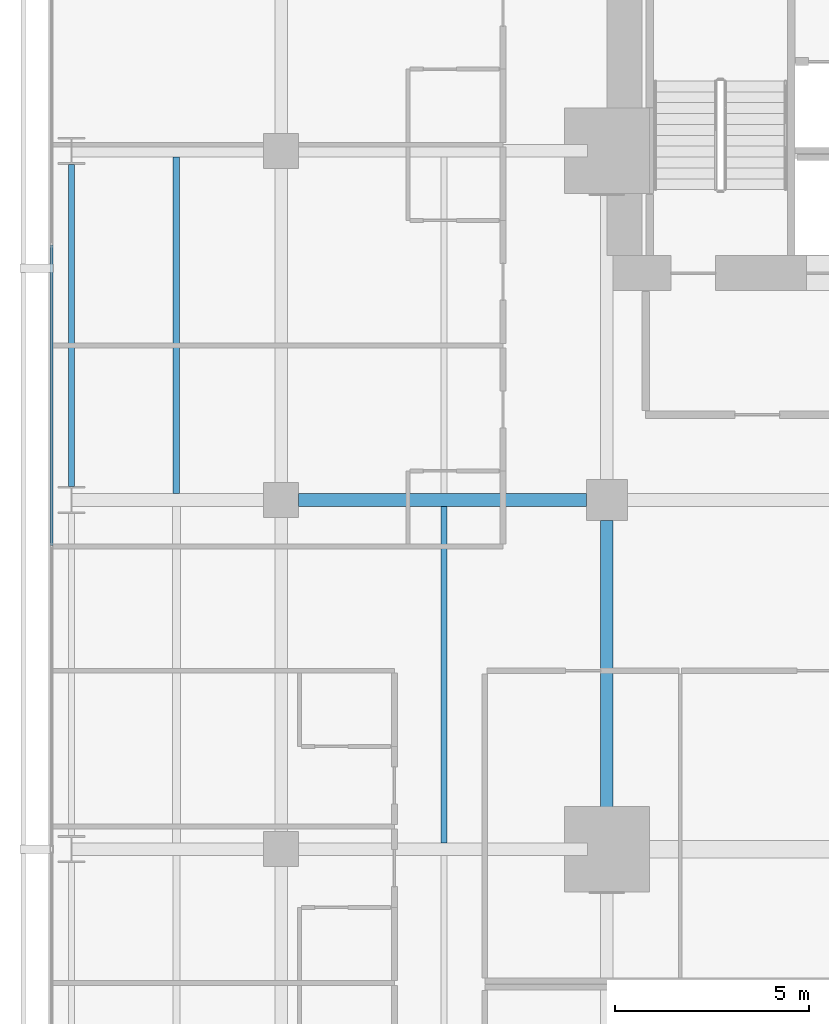
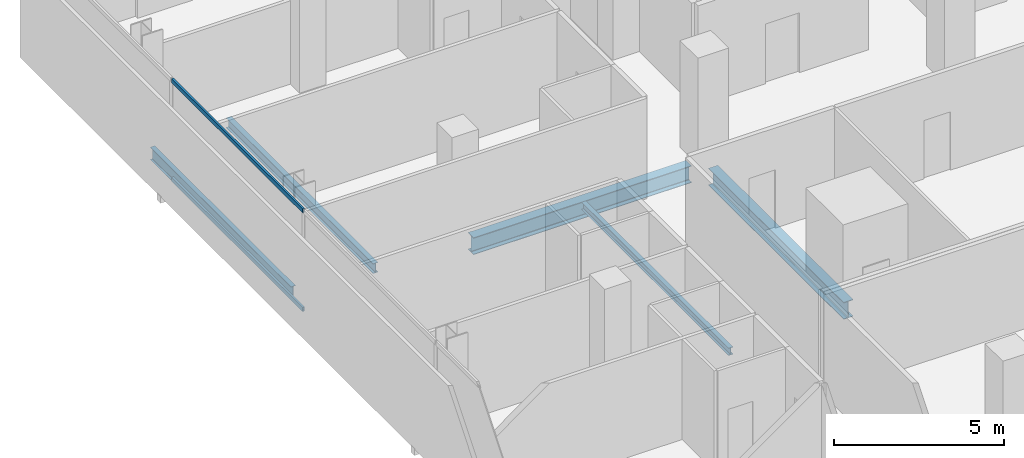
# One storey, part 22 of 40: 5 beams, 2 members, 1 element without a shape of its own.
"""IFC4 building model written with IfcOpenShell, lengths in metres."""

from ifc_helpers import new_model, si_unit, direction, frame, origin, origin_2d, place, context, subcontext, project, spatial, hollow_rectangle, i_section, extrude, material, layer, layer_set, material_profile, profile_set, type_object, element, aggregate, save


model = new_model("IFC4")

# Units and contexts
model_context = context("Model", 3, precision=1e-05, world=origin(), true_north=direction((0.0, 1.0)))
body_context = subcontext(model_context, "Body", "Model", "MODEL_VIEW")
ifc_project = project(units=[si_unit("LENGTHUNIT", "METRE"), si_unit("AREAUNIT", "SQUARE_METRE"), si_unit("VOLUMEUNIT", "CUBIC_METRE"), si_unit("PLANEANGLEUNIT", "RADIAN"), si_unit("MASSUNIT", "GRAM", prefix="KILO")], contexts=[model_context])

# Site, building, storey
site_placement = place(None, origin())
site = spatial("IfcSite", under=ifc_project, at=site_placement, CompositionType="ELEMENT")
building_placement = place(site_placement, origin())
building = spatial("IfcBuilding", under=site, at=building_placement, Name="Maruvema Waterfront Hotel and Observation Tower", CompositionType="ELEMENT")
storey_placement = place(building_placement, frame((0.0, 0.0, 77.0)))
storey = spatial("IfcBuildingStorey", under=building, at=storey_placement, Name="L18", CompositionType="ELEMENT", Elevation=77.0)

# Curtain wall, members
ifc_material_1 = material(Name="Anodised bronze aluminium and solar-control low-E IGU", Category="aluminium")
ifc_layer = layer(ifc_material_1, 0.159912109375, Name="Zone 1 Bronze Inner Thermal Curtain Wall System CW-02")
ifc_layer_set = layer_set([ifc_layer], Name="Anodised bronze aluminium and solar-control low-E IGU")
curtain_wall_type = type_object("IfcCurtainWallType", Name="Zone 1 Bronze Inner Thermal Curtain Wall System CW-02", PredefinedType="USERDEFINED", material=ifc_layer_set)
curtain_wall_placement = place(storey_placement, origin())
curtain_wall = element("IfcCurtainWall", 1, at=curtain_wall_placement, inside=storey, type_object=curtain_wall_type, Name="L18 Curtain Wall CW-L18-W", ObjectType="UNITISED CURTAIN WALL", PredefinedType="USERDEFINED")
ifc_material_2 = material(Name="Anodised architectural bronze aluminium", Category="aluminium")
ifc_material_profile_1 = material_profile(ifc_material_2, hollow_rectangle(XDim=0.070068359375, YDim=0.14990234375, WallThickness=0.00390625, at=origin_2d()), Name="ALU-T70x150")
ifc_profile_set_1 = profile_set([ifc_material_profile_1], Name="Anodised architectural bronze aluminium")
member_type = type_object("IfcMemberType", Name="Curtain Wall Horizontal Transom ALU-T70x150", PredefinedType="USERDEFINED", material=ifc_profile_set_1)
member_1_placement = place(storey_placement, frame((10.8798828125, 42.570068359375, 0.030029296875), z_axis=(0.0, -1.0, 0.0), x_axis=(1.0, 0.0, 0.0)))
member_1 = element("IfcMember", 2, at=member_1_placement, type_object=member_type, Name="CW-02 transom 2.1", ObjectType="TRANSOM", PredefinedType="USERDEFINED", context=body_context, shape_type="SweptSolid", body=[
    extrude(hollow_rectangle(XDim=0.070068359375, YDim=0.14990234375, WallThickness=0.00390625, at=origin_2d()), origin(), (0.0, 0.0, 1.0), 7.739990234375),
])
member_2_placement = place(storey_placement, frame((10.8798828125, 42.570068359375, 3.580078125), z_axis=(0.0, -1.0, 0.0), x_axis=(1.0, 0.0, 0.0)))
member_2 = element("IfcMember", 3, at=member_2_placement, type_object=member_type, Name="CW-02 transom 2.2", ObjectType="TRANSOM", PredefinedType="USERDEFINED", context=body_context, shape_type="SweptSolid", body=[
    extrude(hollow_rectangle(XDim=0.070068359375, YDim=0.14990234375, WallThickness=0.00390625, at=origin_2d()), origin(), (0.0, 0.0, 1.0), 7.739990234375),
])
aggregate(curtain_wall, [member_1, member_2])

# Beams
ifc_material_3 = material(Name="Steel ASTM A572 Grade 50", Category="steel")
ifc_material_profile_2 = material_profile(ifc_material_3, i_section(OverallWidth=0.153076171875, OverallDepth=0.455078125, WebThickness=0.008056640625, FlangeThickness=0.01318359375, FilletRadius=0.014892578125, at=origin_2d()), Name="W460x60.0")
ifc_profile_set_2 = profile_set([ifc_material_profile_2], Name="Steel ASTM A572 Grade 50")
beam_type_1 = type_object("IfcBeamType", Name="Perimeter Spandrel Beam W460x60.0", PredefinedType="SPANDREL", material=ifc_profile_set_2)
beam_1_placement = place(storey_placement, frame((11.39990234375, 36.35009765625, -0.467529296875), z_axis=(0.0, 1.0, 0.0), x_axis=(-1.0, 0.0, 0.0)))
element("IfcBeam", 4, at=beam_1_placement, inside=storey, type_object=beam_type_1, Name="L18 Floor Girder NS-04", PredefinedType="SPANDREL", context=body_context, shape_type="SweptSolid", body=[
    extrude(i_section(OverallWidth=0.153076171875, OverallDepth=0.455078125, WebThickness=0.008056640625, FlangeThickness=0.01318359375, FilletRadius=0.014892578125, at=origin_2d()), origin(), (0.0, 0.0, 1.0), 8.2998046875),
])
ifc_material_4 = material(Name="Steel ASTM A572 Grade 50", Category="steel")
ifc_material_profile_3 = material_profile(ifc_material_4, i_section(OverallWidth=0.323974609375, OverallDepth=0.611083984375, WebThickness=0.0126953125, FlangeThickness=0.01904296875, FilletRadius=0.01806640625, at=origin_2d()), Name="W610x155.0")
ifc_profile_set_3 = profile_set([ifc_material_profile_3], Name="Steel ASTM A572 Grade 50")
beam_type_2 = type_object("IfcBeamType", Name="Primary Floor Girder W610x155.0", PredefinedType="BEAM", material=ifc_profile_set_3)
beam_2_placement = place(storey_placement, frame((17.25, 36.0, -0.54541015625), z_axis=(1.0, 0.0, 0.0), x_axis=(0.0, 1.0, 0.0)))
element("IfcBeam", 5, at=beam_2_placement, inside=storey, type_object=beam_type_2, Name="L18 Floor Girder EW-26", PredefinedType="BEAM", context=body_context, shape_type="SweptSolid", body=[
    extrude(i_section(OverallWidth=0.323974609375, OverallDepth=0.611083984375, WebThickness=0.0126953125, FlangeThickness=0.01904296875, FilletRadius=0.01806640625, at=origin_2d()), origin(), (0.0, 0.0, 1.0), 7.425048828125),
])
beam_3_placement = place(storey_placement, frame((25.199951171875, 27.5, -0.54541015625), z_axis=(0.0, 1.0, 0.0), x_axis=(-1.0, 0.0, 0.0)))
element("IfcBeam", 6, at=beam_3_placement, inside=storey, type_object=beam_type_2, Name="L18 Floor Girder NS-14", PredefinedType="BEAM", context=body_context, shape_type="SweptSolid", body=[
    extrude(i_section(OverallWidth=0.323974609375, OverallDepth=0.611083984375, WebThickness=0.0126953125, FlangeThickness=0.01904296875, FilletRadius=0.01806640625, at=origin_2d()), origin(), (0.0, 0.0, 1.0), 7.97509765625),
])
ifc_material_5 = material(Name="Steel ASTM A572 Grade 50", Category="steel")
ifc_material_profile_4 = material_profile(ifc_material_5, i_section(OverallWidth=0.14794921875, OverallDepth=0.26611328125, WebThickness=0.007568359375, FlangeThickness=0.012939453125, FilletRadius=0.012939453125, at=origin_2d()), Name="W250x44.8")
ifc_profile_set_4 = profile_set([ifc_material_profile_4], Name="Steel ASTM A572 Grade 50")
beam_type_3 = type_object("IfcBeamType", Name="Secondary Floor Joist W250x44.8", PredefinedType="JOIST", material=ifc_profile_set_4)
beam_4_placement = place(storey_placement, frame((21.0, 27.162109375, -0.373046875), z_axis=(0.0, 1.0, 0.0), x_axis=(-1.0, 0.0, 0.0)))
element("IfcBeam", 7, at=beam_4_placement, inside=storey, type_object=beam_type_3, Name="L18 Secondary Floor Joist JS-08", PredefinedType="JOIST", context=body_context, shape_type="SweptSolid", body=[
    extrude(i_section(OverallWidth=0.14794921875, OverallDepth=0.26611328125, WebThickness=0.007568359375, FlangeThickness=0.012939453125, FilletRadius=0.012939453125, at=origin_2d()), origin(), (0.0, 0.0, 1.0), 8.67578125),
])
ifc_material_6 = material(Name="Steel ASTM A572 Grade 50", Category="steel")
ifc_material_profile_5 = material_profile(ifc_material_6, i_section(OverallWidth=0.1708984375, OverallDepth=0.35498046875, WebThickness=0.007080078125, FlangeThickness=0.01171875, FilletRadius=0.014892578125, at=origin_2d()), Name="W360x51.0")
ifc_profile_set_5 = profile_set([ifc_material_profile_5], Name="Steel ASTM A572 Grade 50")
beam_type_4 = type_object("IfcBeamType", Name="Secondary Floor Joist W360x51.0", PredefinedType="JOIST", material=ifc_profile_set_5)
beam_5_placement = place(storey_placement, frame((14.10009765625, 36.162109375, -0.41748046875), z_axis=(0.0, 1.0, 0.0), x_axis=(-1.0, 0.0, 0.0)))
element("IfcBeam", 8, at=beam_5_placement, inside=storey, type_object=beam_type_4, Name="L18 Secondary Floor Joist JS-04", PredefinedType="JOIST", context=body_context, shape_type="SweptSolid", body=[
    extrude(i_section(OverallWidth=0.1708984375, OverallDepth=0.35498046875, WebThickness=0.007080078125, FlangeThickness=0.01171875, FilletRadius=0.014892578125, at=origin_2d()), origin(), (0.0, 0.0, 1.0), 8.67578125),
])

save(model, "model.ifc")
